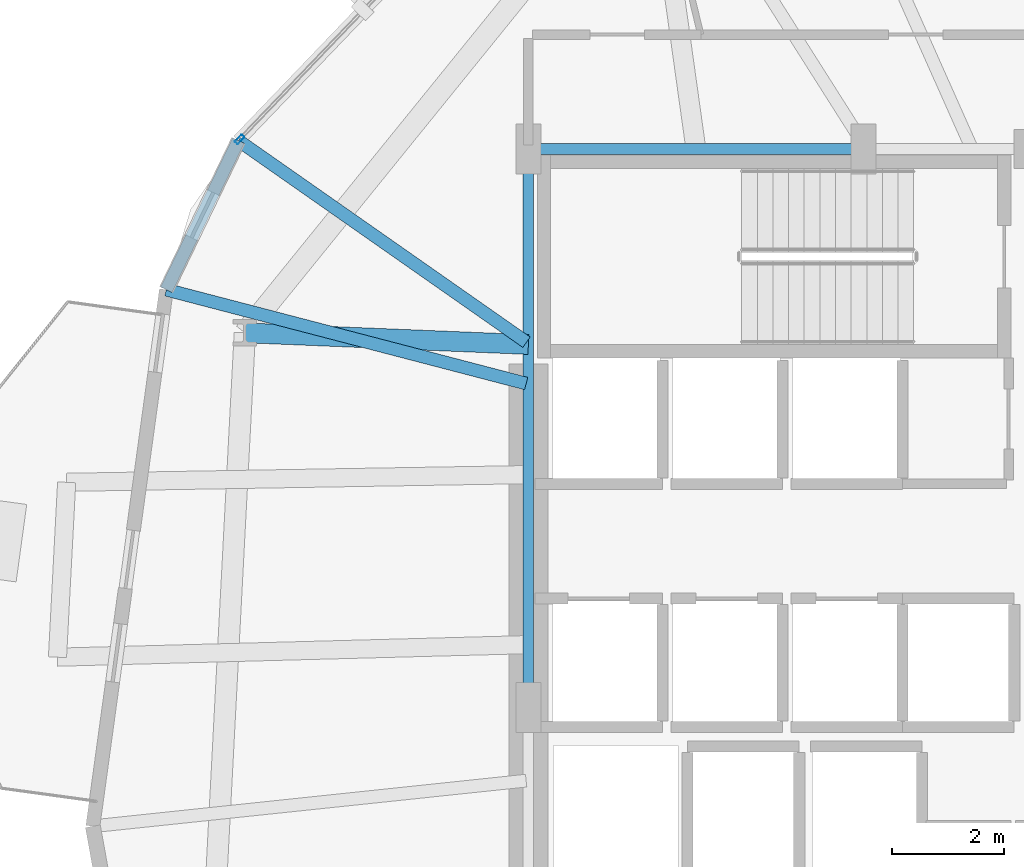
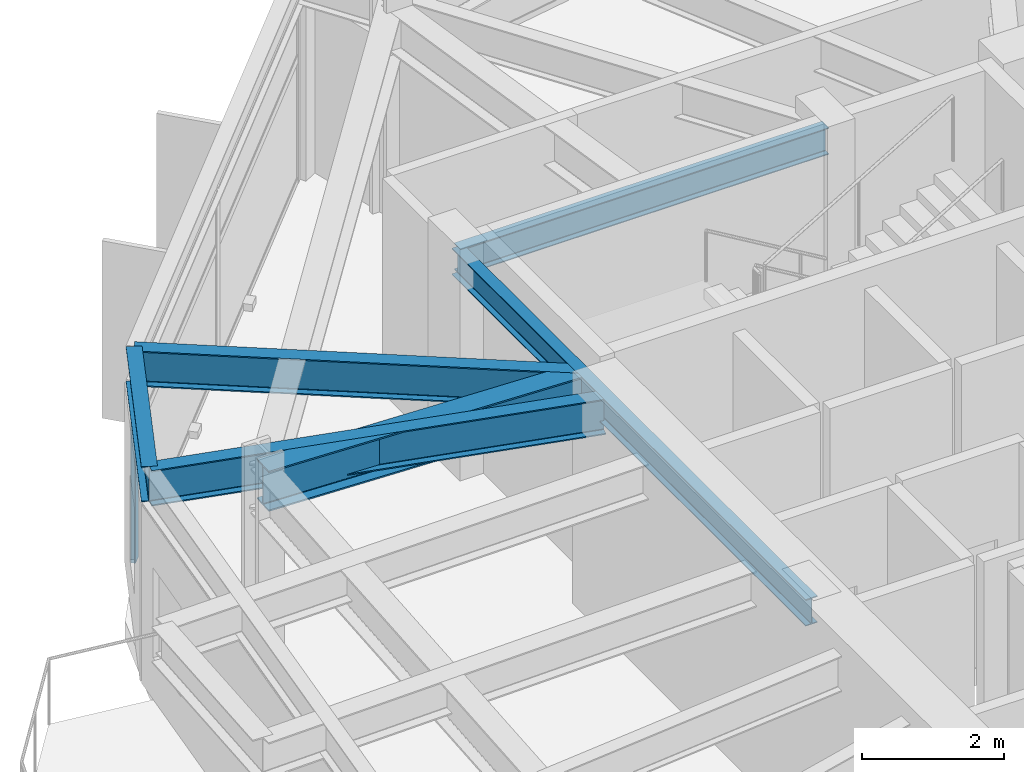
# One storey, part 7 of 22: 6 beams, 1 member, 1 element without a shape of its own.
"""IFC4 building model written with IfcOpenShell, lengths in metres."""

from ifc_helpers import new_model, si_unit, direction, frame, origin, origin_2d, place, context, subcontext, project, spatial, hollow_rectangle, i_section, extrude, material, layer, layer_set, material_profile, profile_set, type_object, element, aggregate, save


model = new_model("IFC4")

# Units and contexts
model_context = context("Model", 3, precision=1e-05, world=origin(), true_north=direction((0.0, 1.0)))
body_context = subcontext(model_context, "Body", "Model", "MODEL_VIEW")
ifc_project = project(units=[si_unit("LENGTHUNIT", "METRE"), si_unit("AREAUNIT", "SQUARE_METRE"), si_unit("VOLUMEUNIT", "CUBIC_METRE"), si_unit("PLANEANGLEUNIT", "RADIAN"), si_unit("MASSUNIT", "GRAM", prefix="KILO")], contexts=[model_context])

# Site, building, storey
site_placement = place(None, origin())
site = spatial("IfcSite", under=ifc_project, at=site_placement, CompositionType="ELEMENT")
building_placement = place(site_placement, origin())
building = spatial("IfcBuilding", under=site, at=building_placement, Name="Soratama Intermodal Tower", CompositionType="ELEMENT")
storey_placement = place(building_placement, frame((0.0, 0.0, 66.60009765625)))
storey = spatial("IfcBuildingStorey", under=building, at=storey_placement, Name="L15", CompositionType="ELEMENT", Elevation=66.60009765625)

# Beams
ifc_material_1 = material(Name="Structural steel ASTM A992 Grade 50", Category="steel")
ifc_material_profile_1 = material_profile(ifc_material_1, i_section(OverallWidth=0.19091796875, OverallDepth=0.4599609375, WebThickness=0.010009765625, FlangeThickness=0.01611328125, FilletRadius=0.010986328125, at=origin_2d()), Name="W18X55")
ifc_profile_set_1 = profile_set([ifc_material_profile_1], Name="Structural steel ASTM A992 Grade 50")
beam_type_1 = type_object("IfcBeamType", Name="BM-FLR-W18X55", PredefinedType="BEAM", material=ifc_profile_set_1)
beam_1_placement = place(storey_placement, frame((38.60009765625, 35.0, 3.469970703125), z_axis=(-1.0, 0.0, 0.0), x_axis=(0.0, -1.0, 0.0)))
element("IfcBeam", 1, at=beam_1_placement, inside=storey, type_object=beam_type_1, Name="BM-L15-CRING-07", PredefinedType="BEAM", context=body_context, shape_type="SweptSolid", body=[
    extrude(i_section(OverallWidth=0.19091796875, OverallDepth=0.4599609375, WebThickness=0.010009765625, FlangeThickness=0.01611328125, FilletRadius=0.010986328125, at=origin_2d()), origin(), (0.0, 0.0, 1.0), 6.0),
])
beam_2_placement = place(storey_placement, frame((32.60009765625, 35.0, 3.469970703125), z_axis=(0.0, -1.0, 0.0), x_axis=(1.0, 0.0, 0.0)))
element("IfcBeam", 2, at=beam_2_placement, inside=storey, type_object=beam_type_1, Name="BM-L15-CRING-08", PredefinedType="BEAM", context=body_context, shape_type="SweptSolid", body=[
    extrude(i_section(OverallWidth=0.19091796875, OverallDepth=0.4599609375, WebThickness=0.010009765625, FlangeThickness=0.01611328125, FilletRadius=0.010986328125, at=origin_2d()), origin(), (0.0, 0.0, 1.0), 10.0),
])
ifc_material_2 = material(Name="Structural steel ASTM A992 Grade 50", Category="steel")
ifc_material_profile_2 = material_profile(ifc_material_2, i_section(OverallWidth=0.35498046875, OverallDepth=0.695068359375, WebThickness=0.015380859375, FlangeThickness=0.02490234375, FilletRadius=0.01611328125, at=origin_2d()), Name="W27X146")
ifc_profile_set_2 = profile_set([ifc_material_profile_2], Name="Structural steel ASTM A992 Grade 50")
beam_type_2 = type_object("IfcBeamType", Name="BM-RING-W27X146", PredefinedType="BEAM", material=ifc_profile_set_2)
beam_3_placement = place(storey_placement, frame((32.60009765625, 31.5, 3.352294921875), z_axis=(-0.999153929645, 0.041126936131, 0.0), x_axis=(-0.041126936131, -0.999153929645, 0.0)))
element("IfcBeam", 3, at=beam_3_placement, inside=storey, type_object=beam_type_2, Name="BM-L15-RAD-05", PredefinedType="BEAM", context=body_context, shape_type="SweptSolid", body=[
    extrude(i_section(OverallWidth=0.35498046875, OverallDepth=0.695068359375, WebThickness=0.015380859375, FlangeThickness=0.02490234375, FilletRadius=0.01611328125, at=origin_2d()), origin(), (0.0, 0.0, 1.0), 5.08154296875),
])
ifc_material_3 = material(Name="Structural steel ASTM A992 Grade 50", Category="steel")
ifc_material_profile_3 = material_profile(ifc_material_3, i_section(OverallWidth=0.22900390625, OverallDepth=0.612060546875, WebThickness=0.011962890625, FlangeThickness=0.01953125, FilletRadius=0.012939453125, at=origin_2d()), Name="W24X84")
ifc_profile_set_3 = profile_set([ifc_material_profile_3], Name="Structural steel ASTM A992 Grade 50")
beam_type_3 = type_object("IfcBeamType", Name="BM-SPN-W24X84", PredefinedType="SPANDREL", material=ifc_profile_set_3)
beam_4_placement = place(storey_placement, frame((27.407958984375, 35.152099609375, 3.393798828125), z_axis=(-0.435158654314, -0.900353789116, 0.0), x_axis=(0.900353789116, -0.435158654314, 0.0)))
element("IfcBeam", 4, at=beam_4_placement, inside=storey, type_object=beam_type_3, Name="BS-L15-CRN04", PredefinedType="SPANDREL", context=body_context, shape_type="SweptSolid", body=[
    extrude(i_section(OverallWidth=0.22900390625, OverallDepth=0.612060546875, WebThickness=0.011962890625, FlangeThickness=0.01953125, FilletRadius=0.012939453125, at=origin_2d()), origin(), (0.0, 0.0, 1.0), 2.966796875),
])
ifc_material_4 = material(Name="Structural steel ASTM A992 Grade 50", Category="steel")
ifc_material_profile_4 = material_profile(ifc_material_4, i_section(OverallWidth=0.22900390625, OverallDepth=0.612060546875, WebThickness=0.011962890625, FlangeThickness=0.01953125, FilletRadius=0.012939453125, at=origin_2d()), Name="W24X84")
ifc_profile_set_4 = profile_set([ifc_material_profile_4], Name="Structural steel ASTM A992 Grade 50")
beam_type_4 = type_object("IfcBeamType", Name="BM-TIE-W24X84", PredefinedType="BEAM", material=ifc_profile_set_4)
beam_5_placement = place(storey_placement, frame((32.56689453125, 31.541015625, 3.393798828125), z_axis=(-0.819244670117, 0.573444130221, 0.0), x_axis=(-0.573444130221, -0.819244670117, 0.0)))
element("IfcBeam", 5, at=beam_5_placement, inside=storey, type_object=beam_type_4, Name="BM-L15-TIE1-04", PredefinedType="BEAM", context=body_context, shape_type="SweptSolid", body=[
    extrude(i_section(OverallWidth=0.22900390625, OverallDepth=0.612060546875, WebThickness=0.011962890625, FlangeThickness=0.01953125, FilletRadius=0.012939453125, at=origin_2d()), origin(), (0.0, 0.0, 1.0), 6.297119140625),
])
beam_6_placement = place(storey_placement, frame((32.56103515625, 30.801025390625, 3.393798828125), z_axis=(-0.967658916146, 0.252262208828, 0.0), x_axis=(-0.252262208828, -0.967658916146, 0.0)))
element("IfcBeam", 6, at=beam_6_placement, inside=storey, type_object=beam_type_4, Name="BM-L15-TIE0-05", PredefinedType="BEAM", context=body_context, shape_type="SweptSolid", body=[
    extrude(i_section(OverallWidth=0.22900390625, OverallDepth=0.612060546875, WebThickness=0.011962890625, FlangeThickness=0.01953125, FilletRadius=0.012939453125, at=origin_2d()), origin(), (0.0, 0.0, 1.0), 6.659423828125),
])

# Curtain wall, member
ifc_material_5 = material(Name="Double-glazed aluminium curtain wall", Category="aluminium")
ifc_layer = layer(ifc_material_5, 0.159912109375)
ifc_layer_set = layer_set([ifc_layer], Name="Double-glazed aluminium curtain wall")
curtain_wall_type = type_object("IfcCurtainWallType", Name="CW-SYS-2", PredefinedType="NOTDEFINED", material=ifc_layer_set)
curtain_wall_placement = place(storey_placement, origin())
curtain_wall = element("IfcCurtainWall", 7, at=curtain_wall_placement, inside=storey, type_object=curtain_wall_type, Name="L15 Faceted Curtain Wall F04", PredefinedType="NOTDEFINED")
ifc_material_6 = material(Name="Anodised aluminium AA 6063-T6", Category="aluminium")
ifc_material_profile_5 = material_profile(ifc_material_6, hollow_rectangle(XDim=0.074951171875, YDim=0.179931640625, WallThickness=0.006103515625, InnerFilletRadius=0.006103515625, OuterFilletRadius=0.011962890625, at=origin_2d()), Name="CWM180X75X6")
ifc_profile_set_5 = profile_set([ifc_material_profile_5], Name="Anodised aluminium AA 6063-T6")
member_type = type_object("IfcMemberType", Name="MT-CWM-2", PredefinedType="MULLION", material=ifc_profile_set_5)
member_placement = place(storey_placement, frame((27.4287109375, 35.17333984375, 0.0), z_axis=(0.0, 0.0, 1.0), x_axis=(0.721758943781, -0.692144513142, 0.0)))
member = element("IfcMember", 8, at=member_placement, type_object=member_type, Name="CW-2 mullion 3", PredefinedType="MULLION", context=body_context, shape_type="SweptSolid", body=[
    extrude(hollow_rectangle(XDim=0.074951171875, YDim=0.179931640625, WallThickness=0.006103515625, InnerFilletRadius=0.006103515625, OuterFilletRadius=0.011962890625, at=origin_2d()), origin(), (0.0, 0.0, 1.0), 3.078857421875),
])
aggregate(curtain_wall, [member])

save(model, "model.ifc")
